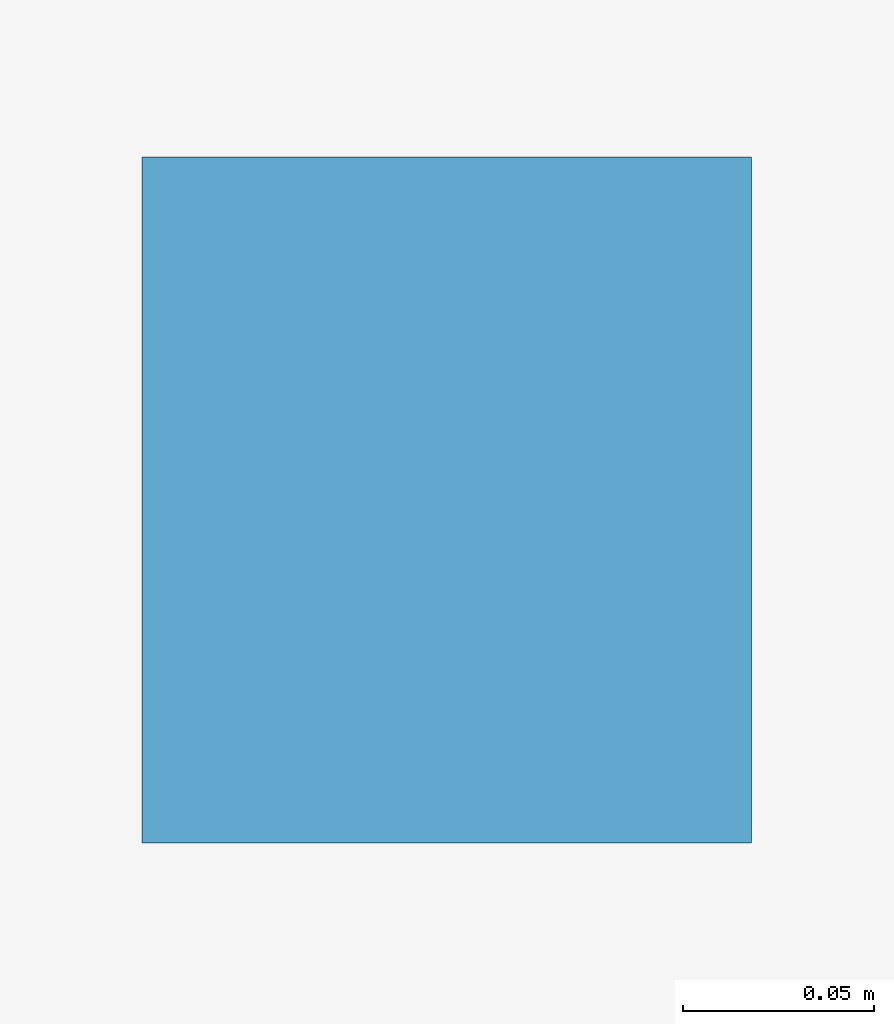
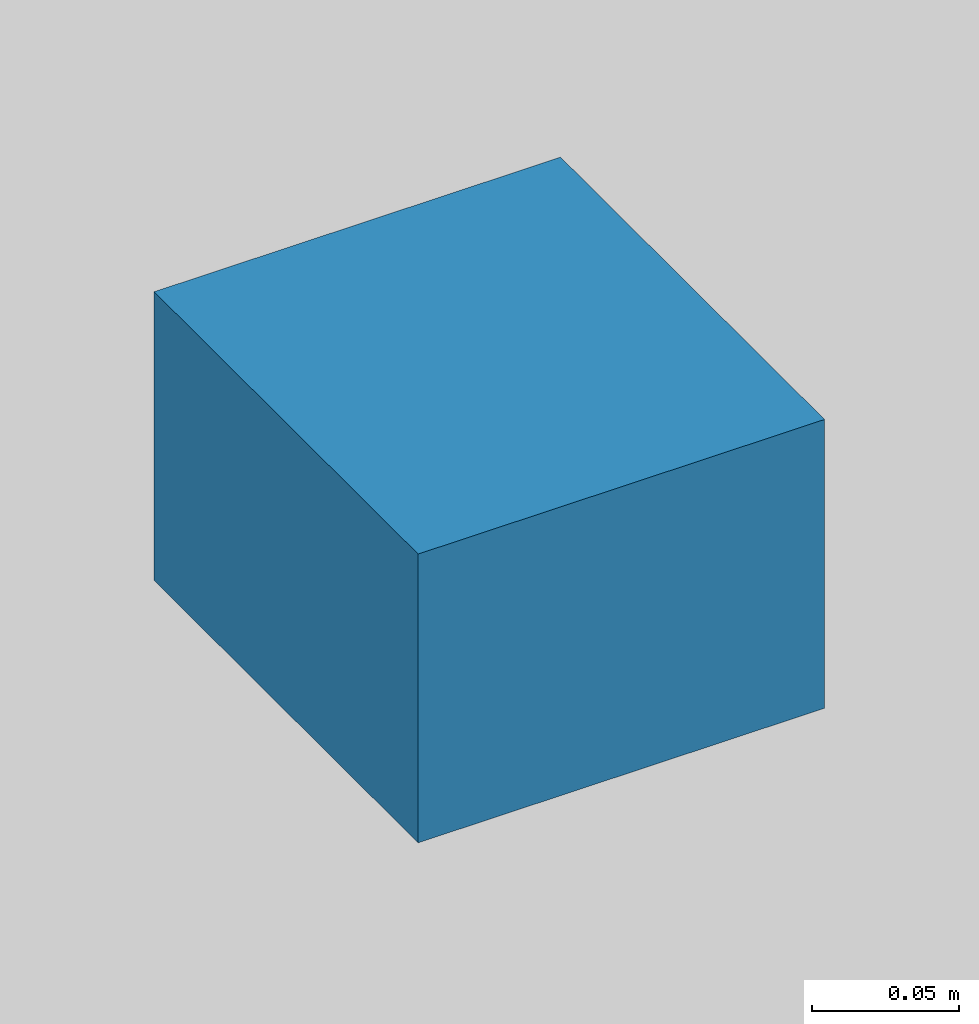
# One storey, part 16 of 22: 1 discrete accessory.
"""IFC4 building model written with IfcOpenShell, lengths in metres."""

from ifc_helpers import new_model, si_unit, direction, frame, origin, origin_2d, place, context, subcontext, project, spatial, rectangle, extrude, material, type_object, element, save


model = new_model("IFC4")

# Units and contexts
model_context = context("Model", 3, precision=1e-05, world=origin(), true_north=direction((0.0, 1.0)))
body_context = subcontext(model_context, "Body", "Model", "MODEL_VIEW")
ifc_project = project(units=[si_unit("LENGTHUNIT", "METRE"), si_unit("AREAUNIT", "SQUARE_METRE"), si_unit("VOLUMEUNIT", "CUBIC_METRE"), si_unit("PLANEANGLEUNIT", "RADIAN"), si_unit("MASSUNIT", "GRAM", prefix="KILO")], contexts=[model_context])

# Site, building, storey
site_placement = place(None, origin())
site = spatial("IfcSite", under=ifc_project, at=site_placement, CompositionType="ELEMENT")
building_placement = place(site_placement, origin())
building = spatial("IfcBuilding", under=site, at=building_placement, Name="Kazevale Care Tower and Concert Hall", CompositionType="ELEMENT")
storey_placement = place(building_placement, frame((0.0, 0.0, -5.39990234375)))
storey = spatial("IfcBuildingStorey", under=building, at=storey_placement, Name="B1", CompositionType="ELEMENT", Elevation=-5.39990234375)

# Discrete accessory
ifc_material = material(Name="Stainless Steel 316", Category="steel")
discrete_accessory_type = type_object("IfcDiscreteAccessoryType", Name="Hoistway Guide-Rail Wall Bracket HBRK-1", PredefinedType="BRACKET", material=ifc_material)
discrete_accessory_placement = place(storey_placement, frame((99.300048828125, 48.820068359375, 1.23974609375), z_axis=(0.0, 0.0, 1.0), x_axis=(1.0, 0.0, 0.0)))
element("IfcDiscreteAccessory", 1, at=discrete_accessory_placement, inside=storey, type_object=discrete_accessory_type, Name="hbrk:CHL-1:B1", PredefinedType="BRACKET", context=body_context, shape_type="SweptSolid", body=[
    extrude(rectangle(XDim=0.159912109375, YDim=0.179931640625, at=origin_2d()), origin(), (0.0, 0.0, 1.0), 0.1201171875),
])

save(model, "model.ifc")
